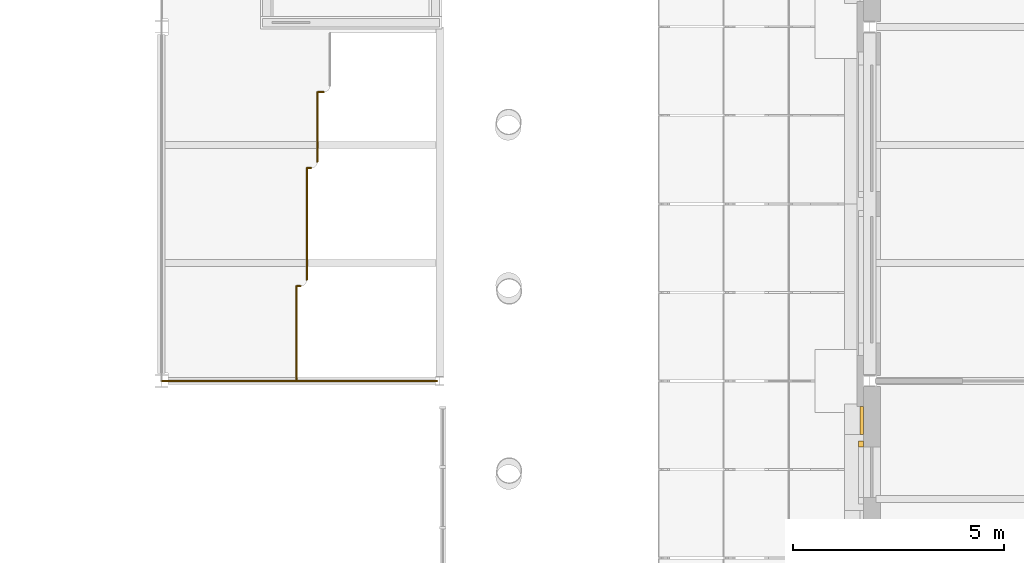
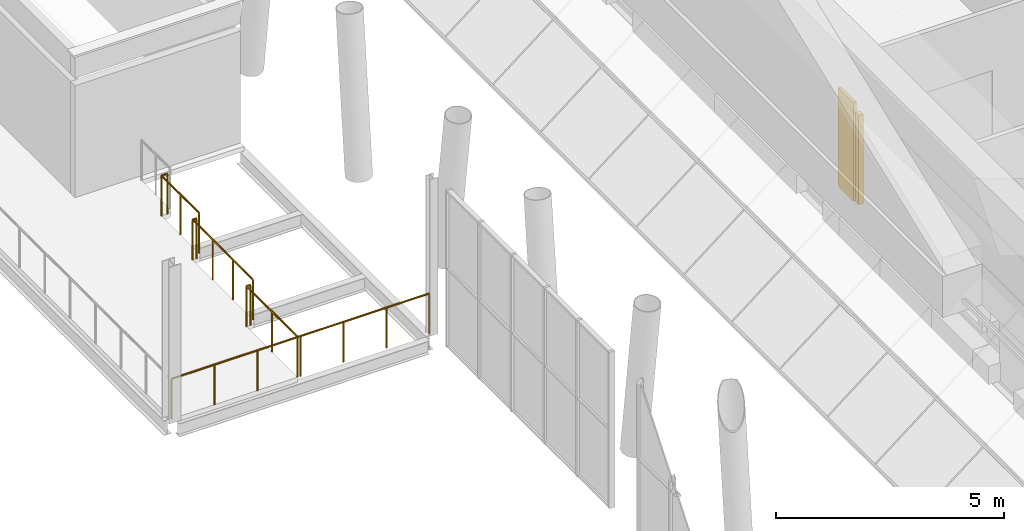
# One storey, part 67 of 76: 4 railings, 2 coverings.
"""IFC4 building model written with IfcOpenShell, lengths in metres."""

from ifc_helpers import new_model, si_unit, direction, frame, origin, origin_2d, place, context, subcontext, project, spatial, rectangle, circle, extrude, material, layer, layer_set, type_object, element, save


model = new_model("IFC4")

# Units and contexts
model_context = context("Model", 3, precision=1e-05, world=origin(), true_north=direction((0.0, 1.0)))
body_context = subcontext(model_context, "Body", "Model", "MODEL_VIEW")
ifc_project = project(units=[si_unit("LENGTHUNIT", "METRE"), si_unit("AREAUNIT", "SQUARE_METRE"), si_unit("VOLUMEUNIT", "CUBIC_METRE"), si_unit("PLANEANGLEUNIT", "RADIAN"), si_unit("MASSUNIT", "GRAM", prefix="KILO")], contexts=[model_context])

# Site, building, storey
site_placement = place(None, origin())
site = spatial("IfcSite", under=ifc_project, at=site_placement, CompositionType="ELEMENT")
building_placement = place(site_placement, origin())
building = spatial("IfcBuilding", under=site, at=building_placement, Name="Sava Quay Ferry Terminal", CompositionType="ELEMENT")
storey_placement = place(building_placement, frame((0.0, 0.0, 10.800048828125)))
storey = spatial("IfcBuildingStorey", under=building, at=storey_placement, Name="L02", CompositionType="ELEMENT", Elevation=10.800048828125)

# Railings
ifc_material_1 = material(Name="Steel S355", Category="steel")
railing_type = type_object("IfcRailingType", Name="Guard 1100", PredefinedType="GUARDRAIL", material=ifc_material_1)
railing_1_placement = place(storey_placement, frame((75.60009765625, 84.0, 0.0)))
element("IfcRailing", 1, at=railing_1_placement, inside=storey, type_object=railing_type, Name="Mezzanine guard", PredefinedType="GUARDRAIL", context=body_context, shape_type="SweptSolid", body=[
    extrude(circle(Radius=0.02392578125, at=origin_2d()), frame((0.0, 0.0, 1.076171875), z_axis=(1.0, 0.0, 0.0), x_axis=(0.0, 1.0, 0.0)), (0.0, 0.0, 1.0), 6.539794921875),
    extrude(circle(Radius=0.02099609375, at=origin_2d()), origin(), (0.0, 0.0, 1.0), 1.052001953125),
    extrude(circle(Radius=0.02099609375, at=origin_2d()), frame((1.08984375, 0.0, 0.0)), (0.0, 0.0, 1.0), 1.052001953125),
    extrude(circle(Radius=0.02099609375, at=origin_2d()), frame((2.179931640625, 0.0, 0.0)), (0.0, 0.0, 1.0), 1.052001953125),
    extrude(circle(Radius=0.02099609375, at=origin_2d()), frame((3.27001953125, 0.0, 0.0)), (0.0, 0.0, 1.0), 1.052001953125),
    extrude(circle(Radius=0.02099609375, at=origin_2d()), frame((4.35986328125, 0.0, 0.0)), (0.0, 0.0, 1.0), 1.052001953125),
    extrude(circle(Radius=0.02099609375, at=origin_2d()), frame((5.44970703125, 0.0, 0.0)), (0.0, 0.0, 1.0), 1.052001953125),
    extrude(circle(Radius=0.02099609375, at=origin_2d()), frame((6.539794921875, 0.0, 0.0)), (0.0, 0.0, 1.0), 1.052001953125),
])
railing_2_placement = place(storey_placement, frame((79.449951171875, 90.85009765625, 0.0)))
element("IfcRailing", 2, at=railing_2_placement, inside=storey, type_object=railing_type, Name="Mezzanine guard", PredefinedType="GUARDRAIL", context=body_context, shape_type="SweptSolid", body=[
    extrude(circle(Radius=0.02392578125, at=origin_2d()), frame((0.0, 0.0, 1.076171875), z_axis=(-1.0, 0.0, 0.0), x_axis=(0.0, -1.0, 0.0)), (0.0, 0.0, 1.0), 0.14990234375),
    extrude(circle(Radius=0.02392578125, at=origin_2d()), frame((-0.14990234375, 0.0, 1.076171875), z_axis=(0.0, -1.0, 0.0), x_axis=(1.0, 0.0, 0.0)), (0.0, 0.0, 1.0), 1.650146484375),
    extrude(circle(Radius=0.02099609375, at=origin_2d()), origin(), (0.0, 0.0, 1.0), 1.052001953125),
    extrude(circle(Radius=0.02099609375, at=origin_2d()), frame((-0.14990234375, 0.0, 0.0)), (0.0, 0.0, 1.0), 1.052001953125),
    extrude(circle(Radius=0.02099609375, at=origin_2d()), frame((-0.14990234375, -0.8251953125, 0.0)), (0.0, 0.0, 1.0), 1.052001953125),
    extrude(circle(Radius=0.02099609375, at=origin_2d()), frame((-0.14990234375, -1.650146484375, 0.0)), (0.0, 0.0, 1.0), 1.052001953125),
])
railing_3_placement = place(storey_placement, frame((79.14990234375, 89.050048828125, 0.0)))
element("IfcRailing", 3, at=railing_3_placement, inside=storey, type_object=railing_type, Name="Mezzanine guard", PredefinedType="GUARDRAIL", context=body_context, shape_type="SweptSolid", body=[
    extrude(circle(Radius=0.02392578125, at=origin_2d()), frame((0.0, 0.0, 1.076171875), z_axis=(-1.0, 0.0, 0.0), x_axis=(0.0, -1.0, 0.0)), (0.0, 0.0, 1.0), 0.099853515625),
    extrude(circle(Radius=0.02392578125, at=origin_2d()), frame((-0.099853515625, 0.0, 1.076171875), z_axis=(0.0, -1.0, 0.0), x_axis=(1.0, 0.0, 0.0)), (0.0, 0.0, 1.0), 2.650146484375),
    extrude(circle(Radius=0.02099609375, at=origin_2d()), origin(), (0.0, 0.0, 1.0), 1.052001953125),
    extrude(circle(Radius=0.02099609375, at=origin_2d()), frame((-0.099853515625, 0.0, 0.0)), (0.0, 0.0, 1.0), 1.052001953125),
    extrude(circle(Radius=0.02099609375, at=origin_2d()), frame((-0.099853515625, -0.88330078125, 0.0)), (0.0, 0.0, 1.0), 1.052001953125),
    extrude(circle(Radius=0.02099609375, at=origin_2d()), frame((-0.099853515625, -1.766845703125, 0.0)), (0.0, 0.0, 1.0), 1.052001953125),
    extrude(circle(Radius=0.02099609375, at=origin_2d()), frame((-0.099853515625, -2.650146484375, 0.0)), (0.0, 0.0, 1.0), 1.052001953125),
])
railing_4_placement = place(storey_placement, frame((78.89990234375, 86.25, 0.0)))
element("IfcRailing", 4, at=railing_4_placement, inside=storey, type_object=railing_type, Name="Mezzanine guard", PredefinedType="GUARDRAIL", context=body_context, shape_type="SweptSolid", body=[
    extrude(circle(Radius=0.02392578125, at=origin_2d()), frame((0.0, 0.0, 1.076171875), z_axis=(-1.0, 0.0, 0.0), x_axis=(0.0, -1.0, 0.0)), (0.0, 0.0, 1.0), 0.099853515625),
    extrude(circle(Radius=0.02392578125, at=origin_2d()), frame((-0.099853515625, 0.0, 1.076171875), z_axis=(0.0, -1.0, 0.0), x_axis=(1.0, 0.0, 0.0)), (0.0, 0.0, 1.0), 2.25),
    extrude(circle(Radius=0.02099609375, at=origin_2d()), origin(), (0.0, 0.0, 1.0), 1.052001953125),
    extrude(circle(Radius=0.02099609375, at=origin_2d()), frame((-0.099853515625, 0.0, 0.0)), (0.0, 0.0, 1.0), 1.052001953125),
    extrude(circle(Radius=0.02099609375, at=origin_2d()), frame((-0.099853515625, -1.125, 0.0)), (0.0, 0.0, 1.0), 1.052001953125),
    extrude(circle(Radius=0.02099609375, at=origin_2d()), frame((-0.099853515625, -2.25, 0.0)), (0.0, 0.0, 1.0), 1.052001953125),
])

# Coverings
ifc_material_2 = material(Name="Limestone Mutalj", Category="masonry")
ifc_layer_1 = layer(ifc_material_2, 0.080078125)
ifc_layer_set_1 = layer_set([ifc_layer_1], Name="Limestone Mutalj")
covering_type_1 = type_object("IfcCoveringType", Name="Light stone cladding 80", PredefinedType="CLADDING", material=ifc_layer_set_1)
covering_1_placement = place(storey_placement, frame((92.2099609375, 83.065673828125, 0.800048828125), z_axis=(0.0, 0.0, 1.0), x_axis=(1.0, 0.0, 0.0)))
element("IfcCovering", 5, at=covering_1_placement, inside=storey, type_object=covering_type_1, Name="Light stone cladding", PredefinedType="CLADDING", context=body_context, shape_type="SweptSolid", body=[
    extrude(rectangle(XDim=0.080078125, YDim=0.668701171875, at=origin_2d()), origin(), (0.0, 0.0, 1.0), 2.64990234375),
])
ifc_material_3 = material(Name="Limestone Mutalj", Category="masonry")
ifc_layer_2 = layer(ifc_material_3, 0.1201171875)
ifc_layer_set_2 = layer_set([ifc_layer_2], Name="Limestone Mutalj")
covering_type_2 = type_object("IfcCoveringType", Name="Plain window architrave 150", PredefinedType="MOLDING", material=ifc_layer_set_2)
covering_2_placement = place(storey_placement, frame((92.18994140625, 82.50634765625, 0.89990234375), z_axis=(0.0, 0.0, 1.0), x_axis=(1.0, 0.0, 0.0)))
element("IfcCovering", 6, at=covering_2_placement, inside=storey, type_object=covering_type_2, Name="Plain window architrave", PredefinedType="MOLDING", context=body_context, shape_type="SweptSolid", body=[
    extrude(rectangle(XDim=0.1201171875, YDim=0.14990234375, at=origin_2d()), origin(), (0.0, 0.0, 1.0), 2.39990234375),
])

save(model, "model.ifc")
